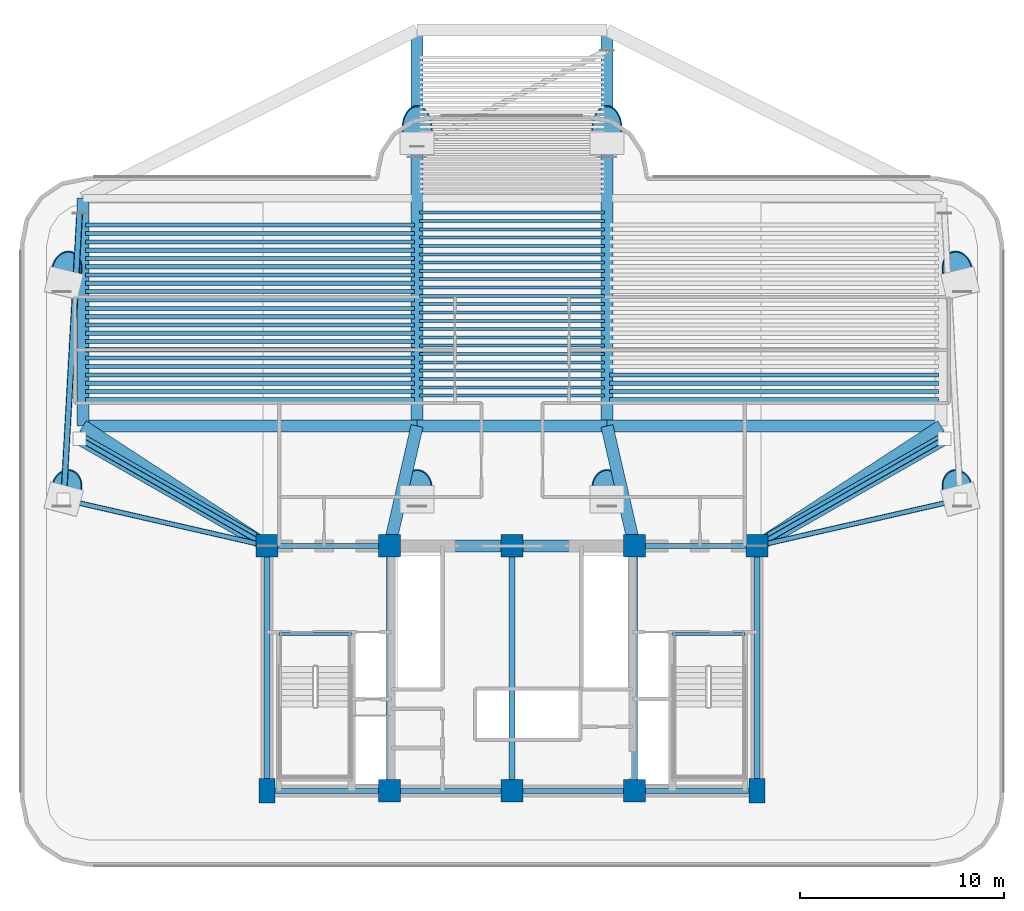
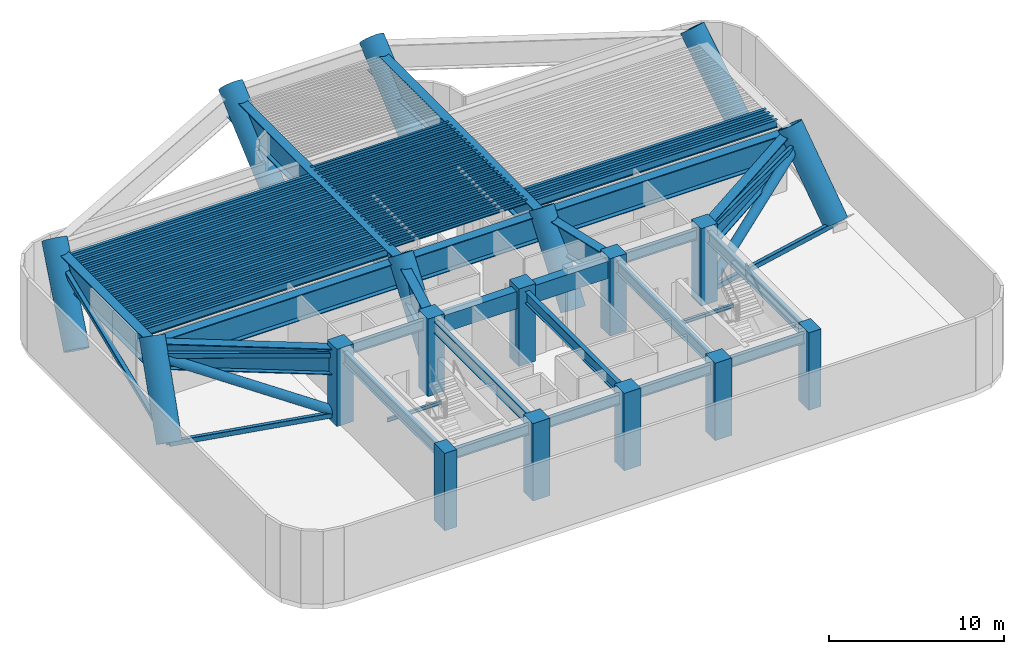
# One storey, part 1 of 11: 73 beams, 18 columns, 7 members.
"""IFC4 building model written with IfcOpenShell, lengths in metres."""

from ifc_helpers import new_model, si_unit, direction, frame, origin, origin_2d, place, context, subcontext, project, spatial, rectangle, hollow_rectangle, hollow_circle, i_section, extrude, source, transform, mapped, material, material_profile, profile_set, type_object, element, save


model = new_model("IFC4")

# Units and contexts
model_context = context("Model", 3, precision=1e-05, world=origin(), true_north=direction((0.0, 1.0)))
body_context = subcontext(model_context, "Body", "Model", "MODEL_VIEW")
ifc_project = project(units=[si_unit("LENGTHUNIT", "METRE"), si_unit("AREAUNIT", "SQUARE_METRE"), si_unit("VOLUMEUNIT", "CUBIC_METRE"), si_unit("PLANEANGLEUNIT", "RADIAN"), si_unit("MASSUNIT", "GRAM", prefix="KILO")], contexts=[model_context])

# Site, building, storey
site_placement = place(None, origin())
site = spatial("IfcSite", under=ifc_project, at=site_placement, CompositionType="ELEMENT")
building_placement = place(site_placement, origin())
building = spatial("IfcBuilding", under=site, at=building_placement, Name="Brelvock Crest Care Tower", CompositionType="ELEMENT")
storey_placement = place(building_placement, frame((0.0, 0.0, 79.919921875)))
storey = spatial("IfcBuildingStorey", under=building, at=storey_placement, Name="L20", CompositionType="ELEMENT", Elevation=79.919921875)

# Columns
ifc_material_1 = material(Name="Concrete S80 (80 MPa)", Category="concrete")
ifc_material_profile_1 = material_profile(ifc_material_1, rectangle(XDim=0.800048828125, YDim=1.199951171875, at=origin_2d()), Name="RC800x1200")
ifc_profile_set_1 = profile_set([ifc_material_profile_1], Name="Concrete S80 (80 MPa)")
column_type_1 = type_object("IfcColumnType", Name="COL-RC5", PredefinedType="COLUMN", material=ifc_profile_set_1)
shared_shape_1 = source(origin(), body_context, "Body", "SweptSolid", [
    extrude(rectangle(XDim=0.800048828125, YDim=1.199951171875, at=origin_2d()), origin(), (0.0, 0.0, 1.0), 5.400146484375),
])
for number, where, z_axis, x_axis, name in (
    (1, (24.0, 6.0, 0.0), (0.0, 0.0, 1.0), (1.0, 0.0, 0.0), "L20 Core Column CC-01"),
    (2, (48.0, 6.0, 0.0), (0.0, 0.0, 1.0), (1.0, 0.0, 0.0), "L20 Core Column CC-05"),
):
    element("IfcColumn", number, at=place(storey_placement, frame(where, z_axis=z_axis, x_axis=x_axis)), inside=storey, type_object=column_type_1, Name=name, PredefinedType="COLUMN", context=body_context, shape_type="MappedRepresentation", body=[
        mapped(shared_shape_1, transform((0.0, 0.0, 0.0), x_axis=(1.0, 0.0, 0.0), y_axis=(0.0, 1.0, 0.0), z_axis=(0.0, 0.0, 1.0), scale=1.0)),
    ])
ifc_material_profile_2 = material_profile(ifc_material_1, rectangle(XDim=1.10009765625, YDim=1.10009765625, at=origin_2d()), Name="RC1100x1100")
ifc_profile_set_2 = profile_set([ifc_material_profile_2], Name="Concrete S80 (80 MPa)")
column_type_2 = type_object("IfcColumnType", Name="COL-RC1", PredefinedType="COLUMN", material=ifc_profile_set_2)
shared_shape_2 = source(origin(), body_context, "Body", "SweptSolid", [
    extrude(rectangle(XDim=1.10009765625, YDim=1.10009765625, at=origin_2d()), origin(), (0.0, 0.0, 1.0), 5.400146484375),
])
for number, where, z_axis, x_axis, name in (
    (3, (30.0, 6.0, 0.0), (0.0, 0.0, 1.0), (1.0, 0.0, 0.0), "L20 Core Column CC-02"),
    (4, (36.0, 6.0, 0.0), (0.0, 0.0, 1.0), (1.0, 0.0, 0.0), "L20 Core Column CC-03"),
    (5, (42.0, 6.0, 0.0), (0.0, 0.0, 1.0), (1.0, 0.0, 0.0), "L20 Core Column CC-04"),
    (6, (24.0, 18.0, 0.0), (0.0, 0.0, 1.0), (1.0, 0.0, 0.0), "L20 Core Column CC-06"),
    (7, (30.0, 18.0, 0.0), (0.0, 0.0, 1.0), (1.0, 0.0, 0.0), "L20 Core Column CC-07"),
    (8, (36.0, 18.0, 0.0), (0.0, 0.0, 1.0), (1.0, 0.0, 0.0), "L20 Core Column CC-08"),
    (9, (42.0, 18.0, 0.0), (0.0, 0.0, 1.0), (1.0, 0.0, 0.0), "L20 Core Column CC-09"),
    (10, (48.0, 18.0, 0.0), (0.0, 0.0, 1.0), (1.0, 0.0, 0.0), "L20 Core Column CC-10"),
):
    element("IfcColumn", number, at=place(storey_placement, frame(where, z_axis=z_axis, x_axis=x_axis)), inside=storey, type_object=column_type_2, Name=name, PredefinedType="COLUMN", context=body_context, shape_type="MappedRepresentation", body=[
        mapped(shared_shape_2, transform((0.0, 0.0, 0.0), x_axis=(1.0, 0.0, 0.0), y_axis=(0.0, 1.0, 0.0), z_axis=(0.0, 0.0, 1.0), scale=1.0)),
    ])
ifc_material_2 = material(Name="Steel Grade 350", Category="steel")
ifc_material_profile_3 = material_profile(ifc_material_2, hollow_circle(Radius=0.75, WallThickness=0.050048828125, at=origin_2d()), Name="CFT1500x50")
ifc_profile_set_3 = profile_set([ifc_material_profile_3], Name="Steel Grade 350")
column_type_3 = type_object("IfcColumnType", Name="COL-MC1", PredefinedType="COLUMN", material=ifc_profile_set_3)
shared_shape_3 = source(origin(), body_context, "Body", "SweptSolid", [
    extrude(hollow_circle(Radius=0.75, WallThickness=0.050048828125, at=origin_2d()), origin(), (0.0, 0.0, 1.0), 6.1689453125),
])
for number, where, z_axis, x_axis, name in (
    (11, (14.040283203125, 20.291748046875, 0.469970703125), (0.153353617599, 0.581200316919, 0.799180117109), (-0.966908028217, 0.255125194698, 0.0), "L20 Raked Mega-Column M1"),
    (12, (57.959716796875, 20.291748046875, 0.469970703125), (-0.153353617599, 0.581200316919, 0.799180117109), (-0.966908028217, -0.255125194698, 0.0), "L20 Raked Mega-Column M3"),
):
    element("IfcColumn", number, at=place(storey_placement, frame(where, z_axis=z_axis, x_axis=x_axis)), inside=storey, type_object=column_type_3, Name=name, PredefinedType="COLUMN", context=body_context, shape_type="MappedRepresentation", body=[
        mapped(shared_shape_3, transform((0.0, 0.0, 0.0), x_axis=(1.0, 0.0, 0.0), y_axis=(0.0, 1.0, 0.0), z_axis=(0.0, 0.0, 1.0), scale=1.0)),
    ])
shared_shape_4 = source(origin(), body_context, "Body", "SweptSolid", [
    extrude(hollow_circle(Radius=0.75, WallThickness=0.050048828125, at=origin_2d()), origin(), (0.0, 0.0, 1.0), 6.479736328125),
])
for number, where, z_axis, x_axis, name in (
    (13, (14.048095703125, 30.8837890625, 0.51123046875), (0.144794363389, 0.640139535252, 0.754490535221), (-0.975360167554, 0.220618547611, 0.0), "L20 Raked Mega-Column M2"),
    (14, (57.951904296875, 30.8837890625, 0.51123046875), (-0.144794363389, 0.640139535252, 0.754490535221), (-0.975360167554, -0.220618547611, 0.0), "L20 Raked Mega-Column M4"),
):
    element("IfcColumn", number, at=place(storey_placement, frame(where, z_axis=z_axis, x_axis=x_axis)), inside=storey, type_object=column_type_3, Name=name, PredefinedType="COLUMN", context=body_context, shape_type="MappedRepresentation", body=[
        mapped(shared_shape_4, transform((0.0, 0.0, 0.0), x_axis=(1.0, 0.0, 0.0), y_axis=(0.0, 1.0, 0.0), z_axis=(0.0, 0.0, 1.0), scale=1.0)),
    ])
shared_shape_5 = source(origin(), body_context, "Body", "SweptSolid", [
    extrude(hollow_circle(Radius=0.75, WallThickness=0.050048828125, at=origin_2d()), origin(), (0.0, 0.0, 1.0), 6.108154296875),
])
for number, where, z_axis, x_axis, name in (
    (15, (31.35009765625, 20.28466796875, 0.460205078125), (0.0, 0.588155061487, 0.808748183087), (-1.0, 0.0, 0.0), "L20 Raked Mega-Column M5"),
    (16, (40.64990234375, 20.28466796875, 0.460205078125), (0.0, 0.588155061487, 0.808748183087), (-1.0, 0.0, 0.0), "L20 Raked Mega-Column M6"),
):
    element("IfcColumn", number, at=place(storey_placement, frame(where, z_axis=z_axis, x_axis=x_axis)), inside=storey, type_object=column_type_3, Name=name, PredefinedType="COLUMN", context=body_context, shape_type="MappedRepresentation", body=[
        mapped(shared_shape_5, transform((0.0, 0.0, 0.0), x_axis=(1.0, 0.0, 0.0), y_axis=(0.0, 1.0, 0.0), z_axis=(0.0, 0.0, 1.0), scale=1.0)),
    ])
shared_shape_6 = source(origin(), body_context, "Body", "SweptSolid", [
    extrude(hollow_circle(Radius=0.75, WallThickness=0.050048828125, at=origin_2d()), origin(), (0.0, 0.0, 1.0), 7.343017578125),
])
for number, where, z_axis, x_axis, name in (
    (17, (31.35009765625, 37.72412109375, 0.58544921875), (0.0, 0.755032685234, 0.655687154234), (-1.0, 0.0, 0.0), "L20 Raked Mega-Column M7"),
    (18, (40.64990234375, 37.72412109375, 0.58544921875), (0.0, 0.755032685234, 0.655687154234), (-1.0, 0.0, 0.0), "L20 Raked Mega-Column M8"),
):
    element("IfcColumn", number, at=place(storey_placement, frame(where, z_axis=z_axis, x_axis=x_axis)), inside=storey, type_object=column_type_3, Name=name, PredefinedType="COLUMN", context=body_context, shape_type="MappedRepresentation", body=[
        mapped(shared_shape_6, transform((0.0, 0.0, 0.0), x_axis=(1.0, 0.0, 0.0), y_axis=(0.0, 1.0, 0.0), z_axis=(0.0, 0.0, 1.0), scale=1.0)),
    ])

# Beams
ifc_material_profile_4 = material_profile(ifc_material_1, rectangle(XDim=0.60009765625, YDim=1.199951171875, at=origin_2d()), Name="RC600x1200")
ifc_profile_set_4 = profile_set([ifc_material_profile_4], Name="Concrete S80 (80 MPa)")
beam_type_1 = type_object("IfcBeamType", Name="BM-LN1", PredefinedType="LINTEL", material=ifc_profile_set_4)
shared_shape_7 = source(origin(), body_context, "Body", "SweptSolid", [
    extrude(rectangle(XDim=0.60009765625, YDim=1.199951171875, at=origin_2d()), origin(), (0.0, 0.0, 1.0), 12.0),
])
beam_1_placement = place(storey_placement, frame((30.0, 18.0, 4.47998046875), z_axis=(1.0, 0.0, 0.0), x_axis=(0.0, 1.0, 0.0)))
element("IfcBeam", 19, at=beam_1_placement, inside=storey, type_object=beam_type_1, Name="L20 Core Coupling Lintel Beam", PredefinedType="LINTEL", context=body_context, shape_type="MappedRepresentation", body=[
    mapped(shared_shape_7, transform((0.0, 0.0, 0.0), x_axis=(1.0, 0.0, 0.0), y_axis=(0.0, 1.0, 0.0), z_axis=(0.0, 0.0, 1.0), scale=1.0)),
])
ifc_material_profile_5 = material_profile(ifc_material_2, i_section(OverallWidth=0.25, OverallDepth=0.699951171875, WebThickness=0.011962890625, FlangeThickness=0.02001953125, at=origin_2d()), Name="700WB150")
ifc_profile_set_5 = profile_set([ifc_material_profile_5], Name="Steel Grade 350")
beam_type_2 = type_object("IfcBeamType", Name="BM-G4", PredefinedType="BEAM", material=ifc_profile_set_5)
shared_shape_8 = source(origin(), body_context, "Body", "SweptSolid", [
    extrude(i_section(OverallWidth=0.25, OverallDepth=0.699951171875, WebThickness=0.011962890625, FlangeThickness=0.02001953125, at=origin_2d()), origin(), (0.0, 0.0, 1.0), 6.0),
])
for number, where, z_axis, x_axis, name in (
    (20, (24.0, 6.0, 4.72998046875), (1.0, 0.0, 0.0), (0.0, 1.0, 0.0), "BM-CORES-L20-1"),
    (21, (24.0, 18.0, 4.72998046875), (1.0, 0.0, 0.0), (0.0, 1.0, 0.0), "BM-COREN-L20-1"),
    (22, (30.0, 6.0, 4.72998046875), (1.0, 0.0, 0.0), (0.0, 1.0, 0.0), "BM-CORES-L20-2"),
    (23, (36.0, 6.0, 4.72998046875), (1.0, 0.0, 0.0), (0.0, 1.0, 0.0), "BM-CORES-L20-3"),
    (24, (42.0, 6.0, 4.72998046875), (1.0, 0.0, 0.0), (0.0, 1.0, 0.0), "BM-CORES-L20-4"),
    (25, (42.0, 18.0, 4.72998046875), (1.0, 0.0, 0.0), (0.0, 1.0, 0.0), "BM-COREN-L20-4"),
):
    element("IfcBeam", number, at=place(storey_placement, frame(where, z_axis=z_axis, x_axis=x_axis)), inside=storey, type_object=beam_type_2, Name=name, PredefinedType="BEAM", context=body_context, shape_type="MappedRepresentation", body=[
        mapped(shared_shape_8, transform((0.0, 0.0, 0.0), x_axis=(1.0, 0.0, 0.0), y_axis=(0.0, 1.0, 0.0), z_axis=(0.0, 0.0, 1.0), scale=1.0)),
    ])
ifc_material_profile_6 = material_profile(ifc_material_2, i_section(OverallWidth=0.300048828125, OverallDepth=0.800048828125, WebThickness=0.013916015625, FlangeThickness=0.02197265625, at=origin_2d()), Name="800WB192")
ifc_profile_set_6 = profile_set([ifc_material_profile_6], Name="Steel Grade 350")
beam_type_3 = type_object("IfcBeamType", Name="BM-G5", PredefinedType="BEAM", material=ifc_profile_set_6)
shared_shape_9 = source(origin(), body_context, "Body", "SweptSolid", [
    extrude(i_section(OverallWidth=0.300048828125, OverallDepth=0.800048828125, WebThickness=0.013916015625, FlangeThickness=0.02197265625, at=origin_2d()), origin(), (0.0, 0.0, 1.0), 12.0),
])
for number, where, z_axis, x_axis, name in (
    (26, (24.0, 6.0, 4.68017578125), (0.0, 1.0, 0.0), (-1.0, 0.0, 0.0), "BM-COREX-L20-1"),
    (27, (30.0, 6.0, 4.68017578125), (0.0, 1.0, 0.0), (-1.0, 0.0, 0.0), "BM-COREX-L20-2"),
    (28, (36.0, 6.0, 4.68017578125), (0.0, 1.0, 0.0), (-1.0, 0.0, 0.0), "BM-COREX-L20-3"),
    (29, (42.0, 6.0, 4.68017578125), (0.0, 1.0, 0.0), (-1.0, 0.0, 0.0), "BM-COREX-L20-4"),
    (30, (48.0, 6.0, 4.68017578125), (0.0, 1.0, 0.0), (-1.0, 0.0, 0.0), "BM-COREX-L20-5"),
):
    element("IfcBeam", number, at=place(storey_placement, frame(where, z_axis=z_axis, x_axis=x_axis)), inside=storey, type_object=beam_type_3, Name=name, PredefinedType="BEAM", context=body_context, shape_type="MappedRepresentation", body=[
        mapped(shared_shape_9, transform((0.0, 0.0, 0.0), x_axis=(1.0, 0.0, 0.0), y_axis=(0.0, 1.0, 0.0), z_axis=(0.0, 0.0, 1.0), scale=1.0)),
    ])
ifc_material_profile_7 = material_profile(ifc_material_2, i_section(OverallWidth=0.14599609375, OverallDepth=0.256103515625, WebThickness=0.00634765625, FlangeThickness=0.010986328125, FilletRadius=0.0087890625, at=origin_2d()), Name="250UB37.3")
ifc_profile_set_7 = profile_set([ifc_material_profile_7], Name="Steel Grade 350")
beam_type_4 = type_object("IfcBeamType", Name="BM-J3", PredefinedType="JOIST", material=ifc_profile_set_7)
shared_shape_10 = source(origin(), body_context, "Body", "SweptSolid", [
    extrude(i_section(OverallWidth=0.14599609375, OverallDepth=0.256103515625, WebThickness=0.00634765625, FlangeThickness=0.010986328125, FilletRadius=0.0087890625, at=origin_2d()), origin(), (0.0, 0.0, 1.0), 3.56982421875),
])
for number, where, z_axis, x_axis, name in (
    (31, (24.580078125, 13.679931640625, 2.3720703125), (1.0, 0.0, 0.0), (0.0, 1.0, 0.0), "BM-ST1L-L20"),
    (32, (43.85009765625, 13.679931640625, 2.3720703125), (1.0, 0.0, 0.0), (0.0, 1.0, 0.0), "BM-ST2L-L20"),
):
    element("IfcBeam", number, at=place(storey_placement, frame(where, z_axis=z_axis, x_axis=x_axis)), inside=storey, type_object=beam_type_4, Name=name, PredefinedType="JOIST", context=body_context, shape_type="MappedRepresentation", body=[
        mapped(shared_shape_10, transform((0.0, 0.0, 0.0), x_axis=(1.0, 0.0, 0.0), y_axis=(0.0, 1.0, 0.0), z_axis=(0.0, 0.0, 1.0), scale=1.0)),
    ])
ifc_material_profile_8 = material_profile(ifc_material_2, i_section(OverallWidth=0.60009765625, OverallDepth=1.800048828125, WebThickness=0.028076171875, FlangeThickness=0.052001953125, at=origin_2d()), Name="1800TG740")
ifc_profile_set_8 = profile_set([ifc_material_profile_8], Name="Steel Grade 350")
beam_type_5 = type_object("IfcBeamType", Name="BM-TG1", PredefinedType="USERDEFINED", material=ifc_profile_set_8)
shared_shape_11 = source(origin(), body_context, "Body", "SweptSolid", [
    extrude(i_section(OverallWidth=0.60009765625, OverallDepth=1.800048828125, WebThickness=0.028076171875, FlangeThickness=0.052001953125, at=origin_2d()), origin(), (0.0, 0.0, 1.0), 9.2998046875),
])
beam_2_placement = place(storey_placement, frame((31.35009765625, 23.877197265625, 4.18017578125), z_axis=(1.0, 0.0, 0.0), x_axis=(0.0, 1.0, 0.0)))
element("IfcBeam", 33, at=beam_2_placement, inside=storey, type_object=beam_type_5, Name="BM-TWR-L20-05", ObjectType="GIRDER", PredefinedType="USERDEFINED", context=body_context, shape_type="MappedRepresentation", body=[
    mapped(shared_shape_11, transform((0.0, 0.0, 0.0), x_axis=(1.0, 0.0, 0.0), y_axis=(0.0, 1.0, 0.0), z_axis=(0.0, 0.0, 1.0), scale=1.0)),
])
shared_shape_12 = source(origin(), body_context, "Body", "SweptSolid", [
    extrude(i_section(OverallWidth=0.14599609375, OverallDepth=0.256103515625, WebThickness=0.00634765625, FlangeThickness=0.010986328125, FilletRadius=0.0087890625, at=origin_2d()), origin(), (0.0, 0.0, 1.0), 9.06982421875),
])
for number, where, z_axis, x_axis, name in (
    (34, (31.465087890625, 25.36376953125, 4.9521484375), (1.0, 0.0, 0.0), (0.0, 1.0, 0.0), "BM-JH-L20-3"),
    (35, (31.465087890625, 25.770751953125, 4.9521484375), (1.0, 0.0, 0.0), (0.0, 1.0, 0.0), "BM-JH-L20-4"),
    (36, (31.465087890625, 26.177978515625, 4.9521484375), (1.0, 0.0, 0.0), (0.0, 1.0, 0.0), "BM-JH-L20-5"),
    (37, (31.465087890625, 26.585205078125, 4.9521484375), (1.0, 0.0, 0.0), (0.0, 1.0, 0.0), "BM-JH-L20-6"),
    (38, (31.465087890625, 26.9921875, 4.9521484375), (1.0, 0.0, 0.0), (0.0, 1.0, 0.0), "BM-JH-L20-7"),
    (39, (31.465087890625, 27.3994140625, 4.9521484375), (1.0, 0.0, 0.0), (0.0, 1.0, 0.0), "BM-JH-L20-8"),
    (40, (31.465087890625, 27.806396484375, 4.9521484375), (1.0, 0.0, 0.0), (0.0, 1.0, 0.0), "BM-JH-L20-9"),
    (41, (31.465087890625, 28.213623046875, 4.9521484375), (1.0, 0.0, 0.0), (0.0, 1.0, 0.0), "BM-JH-L20-10"),
    (42, (31.465087890625, 28.620849609375, 4.9521484375), (1.0, 0.0, 0.0), (0.0, 1.0, 0.0), "BM-JH-L20-11"),
    (43, (31.465087890625, 29.02783203125, 4.9521484375), (1.0, 0.0, 0.0), (0.0, 1.0, 0.0), "BM-JH-L20-12"),
    (44, (31.465087890625, 29.43505859375, 4.9521484375), (1.0, 0.0, 0.0), (0.0, 1.0, 0.0), "BM-JH-L20-13"),
    (45, (31.465087890625, 29.84228515625, 4.9521484375), (1.0, 0.0, 0.0), (0.0, 1.0, 0.0), "BM-JH-L20-14"),
    (46, (31.465087890625, 30.249267578125, 4.9521484375), (1.0, 0.0, 0.0), (0.0, 1.0, 0.0), "BM-JH-L20-15"),
    (47, (31.465087890625, 30.656494140625, 4.9521484375), (1.0, 0.0, 0.0), (0.0, 1.0, 0.0), "BM-JH-L20-16"),
    (48, (31.465087890625, 31.063720703125, 4.9521484375), (1.0, 0.0, 0.0), (0.0, 1.0, 0.0), "BM-JH-L20-17"),
    (49, (31.465087890625, 31.470703125, 4.9521484375), (1.0, 0.0, 0.0), (0.0, 1.0, 0.0), "BM-JH-L20-18"),
    (50, (31.465087890625, 31.8779296875, 4.9521484375), (1.0, 0.0, 0.0), (0.0, 1.0, 0.0), "BM-JH-L20-19"),
    (51, (31.465087890625, 32.284912109375, 4.9521484375), (1.0, 0.0, 0.0), (0.0, 1.0, 0.0), "BM-JH-L20-20"),
    (52, (31.465087890625, 32.692138671875, 4.9521484375), (1.0, 0.0, 0.0), (0.0, 1.0, 0.0), "BM-JH-L20-21"),
    (53, (31.465087890625, 33.099365234375, 4.9521484375), (1.0, 0.0, 0.0), (0.0, 1.0, 0.0), "BM-JH-L20-22"),
    (54, (31.465087890625, 33.506591796875, 4.9521484375), (1.0, 0.0, 0.0), (0.0, 1.0, 0.0), "BM-JH-L20-23"),
    (55, (31.465087890625, 33.91357421875, 4.9521484375), (1.0, 0.0, 0.0), (0.0, 1.0, 0.0), "BM-JH-L20-24"),
    (56, (31.465087890625, 34.32080078125, 4.9521484375), (1.0, 0.0, 0.0), (0.0, 1.0, 0.0), "BM-JH-L20-25"),
):
    element("IfcBeam", number, at=place(storey_placement, frame(where, z_axis=z_axis, x_axis=x_axis)), inside=storey, type_object=beam_type_4, Name=name, PredefinedType="JOIST", context=body_context, shape_type="MappedRepresentation", body=[
        mapped(shared_shape_12, transform((0.0, 0.0, 0.0), x_axis=(1.0, 0.0, 0.0), y_axis=(0.0, 1.0, 0.0), z_axis=(0.0, 0.0, 1.0), scale=1.0)),
    ])
shared_shape_13 = source(origin(), body_context, "Body", "SweptSolid", [
    extrude(i_section(OverallWidth=0.60009765625, OverallDepth=1.800048828125, WebThickness=0.028076171875, FlangeThickness=0.052001953125, at=origin_2d()), origin(), (0.0, 0.0, 1.0), 11.154541015625),
])
beam_3_placement = place(storey_placement, frame((14.986328125, 23.877197265625, 4.18017578125), z_axis=(0.0, 1.0, 0.0), x_axis=(-1.0, 0.0, 0.0)))
element("IfcBeam", 57, at=beam_3_placement, inside=storey, type_object=beam_type_5, Name="BM-TWR-L20-01", ObjectType="GIRDER", PredefinedType="USERDEFINED", context=body_context, shape_type="MappedRepresentation", body=[
    mapped(shared_shape_13, transform((0.0, 0.0, 0.0), x_axis=(1.0, 0.0, 0.0), y_axis=(0.0, 1.0, 0.0), z_axis=(0.0, 0.0, 1.0), scale=1.0)),
])
shared_shape_14 = source(origin(), body_context, "Body", "SweptSolid", [
    extrude(i_section(OverallWidth=0.60009765625, OverallDepth=1.800048828125, WebThickness=0.028076171875, FlangeThickness=0.052001953125, at=origin_2d()), origin(), (0.0, 0.0, 1.0), 16.36376953125),
])
for number, where, z_axis, x_axis, name in (
    (58, (14.986328125, 23.877197265625, 4.18017578125), (1.0, 0.0, 0.0), (0.0, 1.0, 0.0), "BM-TWR-L20-03"),
    (59, (40.64990234375, 23.877197265625, 4.18017578125), (1.0, 0.0, 0.0), (0.0, 1.0, 0.0), "BM-TWR-L20-04"),
):
    element("IfcBeam", number, at=place(storey_placement, frame(where, z_axis=z_axis, x_axis=x_axis)), inside=storey, type_object=beam_type_5, Name=name, ObjectType="GIRDER", PredefinedType="USERDEFINED", context=body_context, shape_type="MappedRepresentation", body=[
        mapped(shared_shape_14, transform((0.0, 0.0, 0.0), x_axis=(1.0, 0.0, 0.0), y_axis=(0.0, 1.0, 0.0), z_axis=(0.0, 0.0, 1.0), scale=1.0)),
    ])
shared_shape_15 = source(origin(), body_context, "Body", "SweptSolid", [
    extrude(i_section(OverallWidth=0.60009765625, OverallDepth=1.800048828125, WebThickness=0.028076171875, FlangeThickness=0.052001953125, at=origin_2d()), origin(), (0.0, 0.0, 1.0), 19.39111328125),
])
for number, where, z_axis, x_axis, name in (
    (60, (31.35009765625, 23.877197265625, 4.18017578125), (0.0, 1.0, 0.0), (-1.0, 0.0, 0.0), "BM-TWR-L20-09"),
    (61, (40.64990234375, 23.877197265625, 4.18017578125), (0.0, 1.0, 0.0), (-1.0, 0.0, 0.0), "BM-TWR-L20-10"),
):
    element("IfcBeam", number, at=place(storey_placement, frame(where, z_axis=z_axis, x_axis=x_axis)), inside=storey, type_object=beam_type_5, Name=name, ObjectType="GIRDER", PredefinedType="USERDEFINED", context=body_context, shape_type="MappedRepresentation", body=[
        mapped(shared_shape_15, transform((0.0, 0.0, 0.0), x_axis=(1.0, 0.0, 0.0), y_axis=(0.0, 1.0, 0.0), z_axis=(0.0, 0.0, 1.0), scale=1.0)),
    ])
shared_shape_16 = source(origin(), body_context, "Body", "SweptSolid", [
    extrude(i_section(OverallWidth=0.60009765625, OverallDepth=1.800048828125, WebThickness=0.028076171875, FlangeThickness=0.052001953125, at=origin_2d()), origin(), (0.0, 0.0, 1.0), 6.0302734375),
])
for number, where, z_axis, x_axis, name in (
    (62, (30.0, 18.0, 4.18017578125), (0.223886597658, 0.974615201702, 0.0), (-0.974615201702, 0.223886597658, 0.0), "BM-THRW-L20"),
    (63, (42.0, 18.0, 4.18017578125), (-0.223886597658, 0.974615201702, 0.0), (-0.974615201702, -0.223886597658, 0.0), "BM-THRE-L20"),
):
    element("IfcBeam", number, at=place(storey_placement, frame(where, z_axis=z_axis, x_axis=x_axis)), inside=storey, type_object=beam_type_5, Name=name, ObjectType="GIRDER", PredefinedType="USERDEFINED", context=body_context, shape_type="MappedRepresentation", body=[
        mapped(shared_shape_16, transform((0.0, 0.0, 0.0), x_axis=(1.0, 0.0, 0.0), y_axis=(0.0, 1.0, 0.0), z_axis=(0.0, 0.0, 1.0), scale=1.0)),
    ])
shared_shape_17 = source(origin(), body_context, "Body", "SweptSolid", [
    extrude(i_section(OverallWidth=0.60009765625, OverallDepth=1.800048828125, WebThickness=0.028076171875, FlangeThickness=0.052001953125, at=origin_2d()), origin(), (0.0, 0.0, 1.0), 10.760498046875),
])
for number, where, z_axis, x_axis, name in (
    (64, (24.0, 18.0, 4.18017578125), (-0.83766520792, 0.546184034406, 0.0), (-0.546184034406, -0.83766520792, 0.0), "BM-THRO-W-L20"),
    (65, (48.0, 18.0, 4.18017578125), (0.83766520792, 0.546184034406, 0.0), (-0.546184034406, 0.83766520792, 0.0), "BM-THRO-E-L20"),
):
    element("IfcBeam", number, at=place(storey_placement, frame(where, z_axis=z_axis, x_axis=x_axis)), inside=storey, type_object=beam_type_5, Name=name, ObjectType="GIRDER", PredefinedType="USERDEFINED", context=body_context, shape_type="MappedRepresentation", body=[
        mapped(shared_shape_17, transform((0.0, 0.0, 0.0), x_axis=(1.0, 0.0, 0.0), y_axis=(0.0, 1.0, 0.0), z_axis=(0.0, 0.0, 1.0), scale=1.0)),
    ])
ifc_material_profile_9 = material_profile(ifc_material_2, i_section(OverallWidth=0.208984375, OverallDepth=0.532958984375, WebThickness=0.01025390625, FlangeThickness=0.015625, FilletRadius=0.013916015625, at=origin_2d()), Name="530UB92.4")
ifc_profile_set_9 = profile_set([ifc_material_profile_9], Name="Steel Grade 350")
beam_type_6 = type_object("IfcBeamType", Name="BM-G2", PredefinedType="BEAM", material=ifc_profile_set_9)
shared_shape_18 = source(origin(), body_context, "Body", "SweptSolid", [
    extrude(i_section(OverallWidth=0.208984375, OverallDepth=0.532958984375, WebThickness=0.01025390625, FlangeThickness=0.015625, FilletRadius=0.013916015625, at=origin_2d()), origin(), (0.0, 0.0, 1.0), 16.1337890625),
])
for number, where, z_axis, x_axis, name in (
    (66, (15.101318359375, 25.16015625, 4.8134765625), (1.0, 0.0, 0.0), (0.0, 1.0, 0.0), "BM-JW-L20-3"),
    (67, (40.764892578125, 25.16015625, 4.8134765625), (1.0, 0.0, 0.0), (0.0, 1.0, 0.0), "BM-JE-L20-3"),
    (68, (15.101318359375, 25.974365234375, 4.8134765625), (1.0, 0.0, 0.0), (0.0, 1.0, 0.0), "BM-JW-L20-5"),
    (69, (40.764892578125, 25.974365234375, 4.8134765625), (1.0, 0.0, 0.0), (0.0, 1.0, 0.0), "BM-JE-L20-5"),
    (70, (15.101318359375, 26.78857421875, 4.8134765625), (1.0, 0.0, 0.0), (0.0, 1.0, 0.0), "BM-JW-L20-7"),
    (71, (15.101318359375, 27.602783203125, 4.8134765625), (1.0, 0.0, 0.0), (0.0, 1.0, 0.0), "BM-JW-L20-9"),
    (72, (15.101318359375, 28.417236328125, 4.8134765625), (1.0, 0.0, 0.0), (0.0, 1.0, 0.0), "BM-JW-L20-11"),
    (73, (15.101318359375, 29.2314453125, 4.8134765625), (1.0, 0.0, 0.0), (0.0, 1.0, 0.0), "BM-JW-L20-13"),
    (74, (15.101318359375, 30.045654296875, 4.8134765625), (1.0, 0.0, 0.0), (0.0, 1.0, 0.0), "BM-JW-L20-15"),
    (75, (15.101318359375, 30.860107421875, 4.8134765625), (1.0, 0.0, 0.0), (0.0, 1.0, 0.0), "BM-JW-L20-17"),
    (76, (15.101318359375, 31.67431640625, 4.8134765625), (1.0, 0.0, 0.0), (0.0, 1.0, 0.0), "BM-JW-L20-19"),
    (77, (15.101318359375, 32.488525390625, 4.8134765625), (1.0, 0.0, 0.0), (0.0, 1.0, 0.0), "BM-JW-L20-21"),
    (78, (15.101318359375, 33.302978515625, 4.8134765625), (1.0, 0.0, 0.0), (0.0, 1.0, 0.0), "BM-JW-L20-23"),
):
    element("IfcBeam", number, at=place(storey_placement, frame(where, z_axis=z_axis, x_axis=x_axis)), inside=storey, type_object=beam_type_6, Name=name, PredefinedType="BEAM", context=body_context, shape_type="MappedRepresentation", body=[
        mapped(shared_shape_18, transform((0.0, 0.0, 0.0), x_axis=(1.0, 0.0, 0.0), y_axis=(0.0, 1.0, 0.0), z_axis=(0.0, 0.0, 1.0), scale=1.0)),
    ])
ifc_material_profile_10 = material_profile(ifc_material_2, i_section(OverallWidth=0.19091796875, OverallDepth=0.4599609375, WebThickness=0.010009765625, FlangeThickness=0.01611328125, FilletRadius=0.011474609375, at=origin_2d()), Name="460UB82.1")
ifc_profile_set_10 = profile_set([ifc_material_profile_10], Name="Steel Grade 350")
beam_type_7 = type_object("IfcBeamType", Name="BM-G3", PredefinedType="BEAM", material=ifc_profile_set_10)
shared_shape_19 = source(origin(), body_context, "Body", "SweptSolid", [
    extrude(i_section(OverallWidth=0.19091796875, OverallDepth=0.4599609375, WebThickness=0.010009765625, FlangeThickness=0.01611328125, FilletRadius=0.011474609375, at=origin_2d()), origin(), (0.0, 0.0, 1.0), 16.1337890625),
])
for number, where, z_axis, x_axis, name in (
    (79, (15.101318359375, 25.567138671875, 4.85009765625), (1.0, 0.0, 0.0), (0.0, 1.0, 0.0), "BM-JW-L20-4"),
    (80, (40.764892578125, 25.567138671875, 4.85009765625), (1.0, 0.0, 0.0), (0.0, 1.0, 0.0), "BM-JE-L20-4"),
    (81, (15.101318359375, 26.381591796875, 4.85009765625), (1.0, 0.0, 0.0), (0.0, 1.0, 0.0), "BM-JW-L20-6"),
    (82, (40.764892578125, 26.381591796875, 4.85009765625), (1.0, 0.0, 0.0), (0.0, 1.0, 0.0), "BM-JE-L20-6"),
    (83, (15.101318359375, 27.19580078125, 4.85009765625), (1.0, 0.0, 0.0), (0.0, 1.0, 0.0), "BM-JW-L20-8"),
    (84, (15.101318359375, 28.010009765625, 4.85009765625), (1.0, 0.0, 0.0), (0.0, 1.0, 0.0), "BM-JW-L20-10"),
    (85, (15.101318359375, 28.82421875, 4.85009765625), (1.0, 0.0, 0.0), (0.0, 1.0, 0.0), "BM-JW-L20-12"),
    (86, (15.101318359375, 29.638671875, 4.85009765625), (1.0, 0.0, 0.0), (0.0, 1.0, 0.0), "BM-JW-L20-14"),
    (87, (15.101318359375, 30.452880859375, 4.85009765625), (1.0, 0.0, 0.0), (0.0, 1.0, 0.0), "BM-JW-L20-16"),
    (88, (15.101318359375, 31.26708984375, 4.85009765625), (1.0, 0.0, 0.0), (0.0, 1.0, 0.0), "BM-JW-L20-18"),
    (89, (15.101318359375, 32.081298828125, 4.85009765625), (1.0, 0.0, 0.0), (0.0, 1.0, 0.0), "BM-JW-L20-20"),
    (90, (15.101318359375, 32.895751953125, 4.85009765625), (1.0, 0.0, 0.0), (0.0, 1.0, 0.0), "BM-JW-L20-22"),
    (91, (15.101318359375, 33.7099609375, 4.85009765625), (1.0, 0.0, 0.0), (0.0, 1.0, 0.0), "BM-JW-L20-24"),
):
    element("IfcBeam", number, at=place(storey_placement, frame(where, z_axis=z_axis, x_axis=x_axis)), inside=storey, type_object=beam_type_7, Name=name, PredefinedType="BEAM", context=body_context, shape_type="MappedRepresentation", body=[
        mapped(shared_shape_19, transform((0.0, 0.0, 0.0), x_axis=(1.0, 0.0, 0.0), y_axis=(0.0, 1.0, 0.0), z_axis=(0.0, 0.0, 1.0), scale=1.0)),
    ])

# Members
ifc_material_profile_11 = material_profile(ifc_material_2, hollow_rectangle(XDim=0.25, YDim=0.35009765625, WallThickness=0.012451171875, OuterFilletRadius=0.02490234375, at=origin_2d()), Name="RHS350x250x12.5")
ifc_profile_set_11 = profile_set([ifc_material_profile_11], Name="Steel Grade 350")
member_type_1 = type_object("IfcMemberType", Name="MEM-CH1", PredefinedType="CHORD", material=ifc_profile_set_11)
shared_shape_20 = source(origin(), body_context, "Body", "SweptSolid", [
    extrude(hollow_rectangle(XDim=0.25, YDim=0.35009765625, WallThickness=0.012451171875, OuterFilletRadius=0.02490234375, at=origin_2d()), origin(), (0.0, 0.0, 1.0), 10.220458984375),
])
for number, where, z_axis, x_axis, name in (
    (92, (24.0, 18.0, 0.4501953125), (-0.974859692578, 0.222819612662, 0.0), (-0.222819612662, -0.974859692578, 0.0), "L20 Outrigger Bottom Chord W1"),
    (93, (48.0, 18.0, 0.4501953125), (0.974859692578, 0.222819612662, 0.0), (-0.222819612662, 0.974859692578, 0.0), "L20 Outrigger Bottom Chord E1"),
):
    element("IfcMember", number, at=place(storey_placement, frame(where, z_axis=z_axis, x_axis=x_axis)), inside=storey, type_object=member_type_1, Name=name, PredefinedType="CHORD", context=body_context, shape_type="MappedRepresentation", body=[
        mapped(shared_shape_20, transform((0.0, 0.0, 0.0), x_axis=(1.0, 0.0, 0.0), y_axis=(0.0, 1.0, 0.0), z_axis=(0.0, 0.0, 1.0), scale=1.0)),
    ])
shared_shape_21 = source(origin(), body_context, "Body", "SweptSolid", [
    extrude(hollow_rectangle(XDim=0.25, YDim=0.35009765625, WallThickness=0.012451171875, OuterFilletRadius=0.02490234375, at=origin_2d()), origin(), (0.0, 0.0, 1.0), 10.572998046875),
])
for number, where, z_axis, x_axis, name in (
    (94, (24.0, 18.0, 4.530029296875), (-0.86830281643, 0.496034493739, 0.0), (-0.496034493739, -0.86830281643, 0.0), "L20 Outrigger Top Chord W1"),
    (95, (48.0, 18.0, 4.530029296875), (0.86830281643, 0.496034493739, 0.0), (-0.496034493739, 0.86830281643, 0.0), "L20 Outrigger Top Chord E1"),
):
    element("IfcMember", number, at=place(storey_placement, frame(where, z_axis=z_axis, x_axis=x_axis)), inside=storey, type_object=member_type_1, Name=name, PredefinedType="CHORD", context=body_context, shape_type="MappedRepresentation", body=[
        mapped(shared_shape_21, transform((0.0, 0.0, 0.0), x_axis=(1.0, 0.0, 0.0), y_axis=(0.0, 1.0, 0.0), z_axis=(0.0, 0.0, 1.0), scale=1.0)),
    ])
ifc_material_3 = material(Name="Steel Grade 450", Category="steel")
ifc_material_profile_12 = material_profile(ifc_material_3, hollow_circle(Radius=0.304931640625, WallThickness=0.02490234375, at=origin_2d()), Name="CHS610x25.0")
ifc_profile_set_12 = profile_set([ifc_material_profile_12], Name="Steel Grade 450")
member_type_2 = type_object("IfcMemberType", Name="MEM-BR1", PredefinedType="BRACE", material=ifc_profile_set_12)
shared_shape_22 = source(origin(), body_context, "Body", "SweptSolid", [
    extrude(hollow_circle(Radius=0.304931640625, WallThickness=0.02490234375, at=origin_2d()), origin(), (0.0, 0.0, 1.0), 11.3330078125),
])
for number, where, z_axis, x_axis, name in (
    (96, (24.0, 18.0, 0.4501953125), (-0.810085947578, 0.462777000475, 0.359997507446), (-0.496034493739, -0.86830281643, 0.0), "L20 Outrigger Diagonal Brace W1-D1"),
    (97, (48.0, 18.0, 0.4501953125), (0.810085947578, 0.462777000475, 0.359997507446), (-0.496034493739, 0.86830281643, 0.0), "L20 Outrigger Diagonal Brace E1-D1"),
):
    element("IfcMember", number, at=place(storey_placement, frame(where, z_axis=z_axis, x_axis=x_axis)), inside=storey, type_object=member_type_2, Name=name, PredefinedType="BRACE", context=body_context, shape_type="MappedRepresentation", body=[
        mapped(shared_shape_22, transform((0.0, 0.0, 0.0), x_axis=(1.0, 0.0, 0.0), y_axis=(0.0, 1.0, 0.0), z_axis=(0.0, 0.0, 1.0), scale=1.0)),
    ])
ifc_material_profile_13 = material_profile(ifc_material_2, hollow_rectangle(XDim=0.300048828125, YDim=0.300048828125, WallThickness=0.01611328125, OuterFilletRadius=0.031982421875, at=origin_2d()), Name="SHS300x300x16.0")
ifc_profile_set_13 = profile_set([ifc_material_profile_13], Name="Steel Grade 350")
member_type_3 = type_object("IfcMemberType", Name="MEM-BR4", PredefinedType="BRACE", material=ifc_profile_set_13)
shared_shape_23 = source(origin(), body_context, "Body", "SweptSolid", [
    extrude(hollow_rectangle(XDim=0.300048828125, YDim=0.300048828125, WallThickness=0.01611328125, OuterFilletRadius=0.031982421875, at=origin_2d()), origin(), (0.0, 0.0, 1.0), 14.619140625),
])
member_placement = place(storey_placement, frame((14.036376953125, 20.27734375, 0.4501953125), z_axis=(0.053557480995, 0.958774100835, 0.27907672744), x_axis=(-0.998443451066, 0.055773425782, 0.0)))
element("IfcMember", 98, at=member_placement, inside=storey, type_object=member_type_3, Name="L20 Belt Truss Brace BW-1", PredefinedType="BRACE", context=body_context, shape_type="MappedRepresentation", body=[
    mapped(shared_shape_23, transform((0.0, 0.0, 0.0), x_axis=(1.0, 0.0, 0.0), y_axis=(0.0, 1.0, 0.0), z_axis=(0.0, 0.0, 1.0), scale=1.0)),
])

save(model, "model.ifc")
